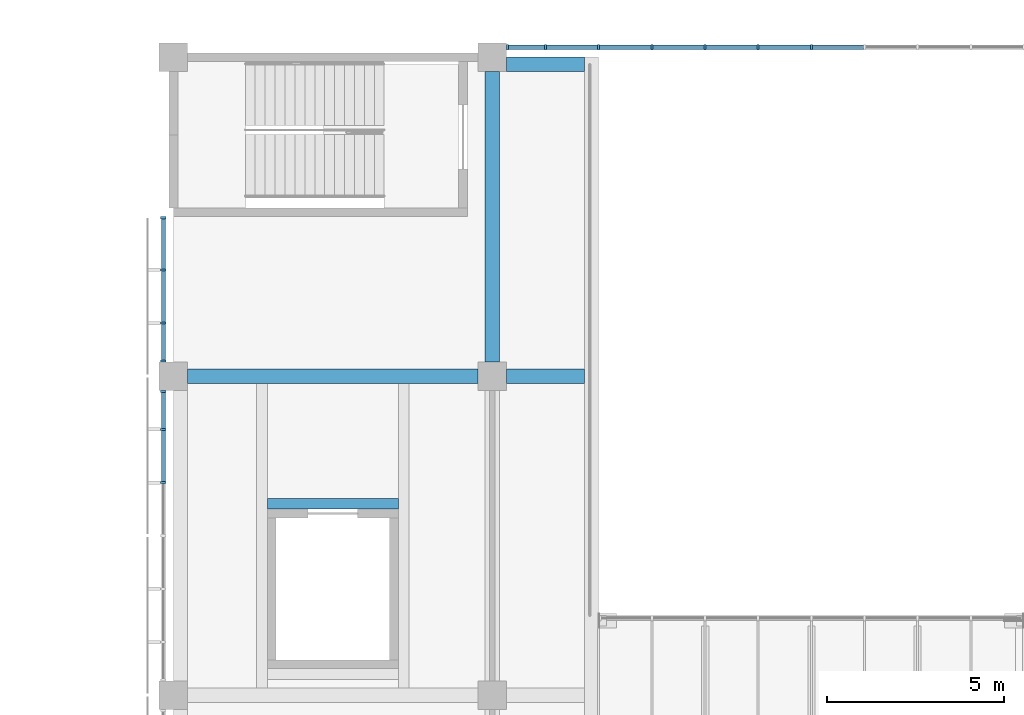
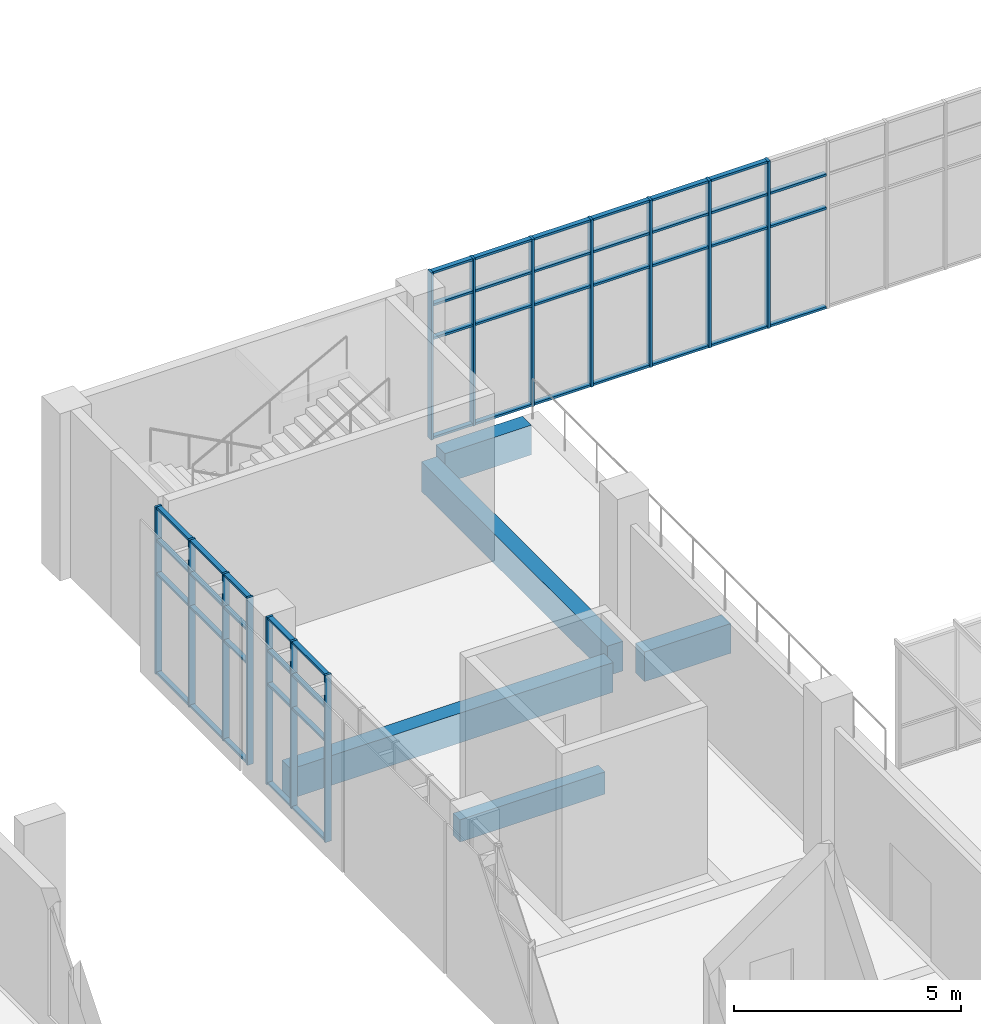
# One storey, part 27 of 88: 61 members, 5 beams, 3 elements without a shape of their own.
"""IFC4 building model written with IfcOpenShell, lengths in metres."""

from ifc_helpers import new_model, si_unit, direction, frame, origin, origin_2d, place, context, subcontext, project, spatial, rectangle, extrude, material, layer, layer_set, material_profile, profile_set, type_object, element, aggregate, save


model = new_model("IFC4")

# Units and contexts
model_context = context("Model", 3, precision=1e-05, world=origin(), true_north=direction((0.0, 1.0)))
body_context = subcontext(model_context, "Body", "Model", "MODEL_VIEW")
ifc_project = project(units=[si_unit("LENGTHUNIT", "METRE"), si_unit("AREAUNIT", "SQUARE_METRE"), si_unit("VOLUMEUNIT", "CUBIC_METRE"), si_unit("PLANEANGLEUNIT", "RADIAN"), si_unit("MASSUNIT", "GRAM", prefix="KILO")], contexts=[model_context])

# Site, building, storey
site_placement = place(None, origin())
site = spatial("IfcSite", under=ifc_project, at=site_placement, CompositionType="ELEMENT")
building_placement = place(site_placement, origin())
building = spatial("IfcBuilding", under=site, at=building_placement, Name="Guidao Yard Department Store", CompositionType="ELEMENT")
storey_placement = place(building_placement, frame((0.0, 0.0, 6.0)))
storey = spatial("IfcBuildingStorey", under=building, at=storey_placement, Name="L01", CompositionType="ELEMENT", Elevation=6.0)

# Beams
ifc_material_1 = material(Name="Concrete C40", Category="concrete")
ifc_material_profile_1 = material_profile(ifc_material_1, rectangle(XDim=0.39990234375, YDim=0.800048828125, at=origin_2d()), Name="Edge beam 400 x 800 C40")
ifc_profile_set_1 = profile_set([ifc_material_profile_1], Name="Concrete C40")
beam_type_1 = type_object("IfcBeamType", Name="Edge beam 400 x 800 C40", PredefinedType="BEAM", material=ifc_profile_set_1)
beam_1_placement = place(storey_placement, frame((81.0, 99.39990234375, -0.39990234375), z_axis=(0.0, 1.0, 0.0), x_axis=(-1.0, 0.0, 0.0)))
element("IfcBeam", 1, at=beam_1_placement, inside=storey, type_object=beam_type_1, Name="Beam EB38", PredefinedType="BEAM", context=body_context, shape_type="SweptSolid", body=[
    extrude(rectangle(XDim=0.39990234375, YDim=0.800048828125, at=origin_2d()), origin(), (0.0, 0.0, 1.0), 8.2001953125),
])
for number, where, z_axis, x_axis, name in (
    (2, (81.39990234375, 99.0, -0.39990234375), (1.0, 0.0, 0.0), (0.0, 1.0, 0.0), "Beam EB43"),
    (3, (81.39990234375, 107.800048828125, -0.39990234375), (1.0, 0.0, 0.0), (0.0, 1.0, 0.0), "Beam EB44"),
):
    element("IfcBeam", number, at=place(storey_placement, frame(where, z_axis=z_axis, x_axis=x_axis)), inside=storey, type_object=beam_type_1, Name=name, PredefinedType="BEAM", context=body_context, shape_type="SweptSolid", body=[
        extrude(rectangle(XDim=0.39990234375, YDim=0.800048828125, at=origin_2d()), origin(), (0.0, 0.0, 1.0), 2.2001953125),
    ])
beam_2_placement = place(storey_placement, frame((72.39990234375, 99.0, -0.39990234375), z_axis=(1.0, 0.0, 0.0), x_axis=(0.0, 1.0, 0.0)))
element("IfcBeam", 4, at=beam_2_placement, inside=storey, type_object=beam_type_1, Name="Beam EB99", PredefinedType="BEAM", context=body_context, shape_type="SweptSolid", body=[
    extrude(rectangle(XDim=0.39990234375, YDim=0.800048828125, at=origin_2d()), origin(), (0.0, 0.0, 1.0), 8.2001953125),
])

# Curtain wall, members
ifc_material_2 = material(Name="Aluminium and glass", Category="aluminium")
ifc_layer = layer(ifc_material_2, 0.159912109375)
ifc_layer_set = layer_set([ifc_layer], Name="Shopfront curtain wall CW1 1500 module")
curtain_wall_type = type_object("IfcCurtainWallType", Name="Shopfront curtain wall CW1 1500 module", PredefinedType="NOTDEFINED", material=ifc_layer_set)
curtain_wall_1_placement = place(storey_placement, origin())
curtain_wall_1 = element("IfcCurtainWall", 5, at=curtain_wall_1_placement, inside=storey, type_object=curtain_wall_type, Name="Arcade shop front", PredefinedType="NOTDEFINED")
ifc_material_3 = material(Name="Aluminium 6063-T5", Category="aluminium")
ifc_material_profile_2 = material_profile(ifc_material_3, rectangle(XDim=0.06005859375, YDim=0.159912109375, at=origin_2d()), Name="Mullion M1 60 x 160 aluminium pressure plate")
ifc_profile_set_2 = profile_set([ifc_material_profile_2], Name="Aluminium 6063-T5")
member_type_1 = type_object("IfcMemberType", Name="Mullion M1 60 x 160 aluminium pressure plate", PredefinedType="MULLION", material=ifc_profile_set_2)
member_1_placement = place(storey_placement, frame((71.719970703125, 96.0, 0.0), z_axis=(0.0, 0.0, 1.0), x_axis=(0.0, 1.0, 0.0)))
member_1 = element("IfcMember", 6, at=member_1_placement, type_object=member_type_1, Name="CW-AS-L01-10 mullion 5", PredefinedType="MULLION", context=body_context, shape_type="SweptSolid", body=[
    extrude(rectangle(XDim=0.06005859375, YDim=0.159912109375, at=origin_2d()), origin(), (0.0, 0.0, 1.0), 4.5),
])
member_2_placement = place(storey_placement, frame((71.719970703125, 97.5, 0.0), z_axis=(0.0, 0.0, 1.0), x_axis=(0.0, 1.0, 0.0)))
member_2 = element("IfcMember", 7, at=member_2_placement, type_object=member_type_1, Name="CW-AS-L01-10 mullion 6", PredefinedType="MULLION", context=body_context, shape_type="SweptSolid", body=[
    extrude(rectangle(XDim=0.06005859375, YDim=0.159912109375, at=origin_2d()), origin(), (0.0, 0.0, 1.0), 4.5),
])
member_3_placement = place(storey_placement, frame((71.719970703125, 98.570068359375, 0.0), z_axis=(0.0, 0.0, 1.0), x_axis=(0.0, 1.0, 0.0)))
member_3 = element("IfcMember", 8, at=member_3_placement, type_object=member_type_1, Name="CW-AS-L01-10 mullion 7", PredefinedType="MULLION", context=body_context, shape_type="SweptSolid", body=[
    extrude(rectangle(XDim=0.06005859375, YDim=0.159912109375, at=origin_2d()), origin(), (0.0, 0.0, 1.0), 4.5),
])

curtain_wall_2_placement = place(storey_placement, origin())
curtain_wall_2 = element("IfcCurtainWall", 9, at=curtain_wall_2_placement, inside=storey, type_object=curtain_wall_type, Name="Arcade shop front", PredefinedType="NOTDEFINED")
member_4_placement = place(storey_placement, frame((71.719970703125, 99.429931640625, 0.0), z_axis=(0.0, 0.0, 1.0), x_axis=(0.0, 1.0, 0.0)))
member_4 = element("IfcMember", 10, at=member_4_placement, type_object=member_type_1, Name="CW-AS-L01-11 mullion 1", PredefinedType="MULLION", context=body_context, shape_type="SweptSolid", body=[
    extrude(rectangle(XDim=0.06005859375, YDim=0.159912109375, at=origin_2d()), origin(), (0.0, 0.0, 1.0), 4.5),
])
member_5_placement = place(storey_placement, frame((71.719970703125, 100.5, 0.0), z_axis=(0.0, 0.0, 1.0), x_axis=(0.0, 1.0, 0.0)))
member_5 = element("IfcMember", 11, at=member_5_placement, type_object=member_type_1, Name="CW-AS-L01-11 mullion 2", PredefinedType="MULLION", context=body_context, shape_type="SweptSolid", body=[
    extrude(rectangle(XDim=0.06005859375, YDim=0.159912109375, at=origin_2d()), origin(), (0.0, 0.0, 1.0), 4.5),
])
member_6_placement = place(storey_placement, frame((71.719970703125, 102.0, 0.0), z_axis=(0.0, 0.0, 1.0), x_axis=(0.0, 1.0, 0.0)))
member_6 = element("IfcMember", 12, at=member_6_placement, type_object=member_type_1, Name="CW-AS-L01-11 mullion 3", PredefinedType="MULLION", context=body_context, shape_type="SweptSolid", body=[
    extrude(rectangle(XDim=0.06005859375, YDim=0.159912109375, at=origin_2d()), origin(), (0.0, 0.0, 1.0), 4.5),
])
member_7_placement = place(storey_placement, frame((71.719970703125, 103.469970703125, 0.0), z_axis=(0.0, 0.0, 1.0), x_axis=(0.0, 1.0, 0.0)))
member_7 = element("IfcMember", 13, at=member_7_placement, type_object=member_type_1, Name="CW-AS-L01-11 mullion 4", PredefinedType="MULLION", context=body_context, shape_type="SweptSolid", body=[
    extrude(rectangle(XDim=0.06005859375, YDim=0.159912109375, at=origin_2d()), origin(), (0.0, 0.0, 1.0), 4.5),
])

curtain_wall_3_placement = place(storey_placement, origin())
curtain_wall_3 = element("IfcCurtainWall", 14, at=curtain_wall_3_placement, inside=storey, type_object=curtain_wall_type, Name="Arcade gable glazing", PredefinedType="NOTDEFINED")
member_8_placement = place(storey_placement, frame((81.429931640625, 108.280029296875, 0.0), z_axis=(0.0, 0.0, 1.0), x_axis=(1.0, 0.0, 0.0)))
member_8 = element("IfcMember", 15, at=member_8_placement, type_object=member_type_1, Name="CW-AG-L01-01 mullion 1", PredefinedType="MULLION", context=body_context, shape_type="SweptSolid", body=[
    extrude(rectangle(XDim=0.06005859375, YDim=0.159912109375, at=origin_2d()), origin(), (0.0, 0.0, 1.0), 4.5),
])
member_9_placement = place(storey_placement, frame((82.5, 108.280029296875, 0.0), z_axis=(0.0, 0.0, 1.0), x_axis=(1.0, 0.0, 0.0)))
member_9 = element("IfcMember", 16, at=member_9_placement, type_object=member_type_1, Name="CW-AG-L01-01 mullion 2", PredefinedType="MULLION", context=body_context, shape_type="SweptSolid", body=[
    extrude(rectangle(XDim=0.06005859375, YDim=0.159912109375, at=origin_2d()), origin(), (0.0, 0.0, 1.0), 4.5),
])
member_10_placement = place(storey_placement, frame((84.0, 108.280029296875, 0.0), z_axis=(0.0, 0.0, 1.0), x_axis=(1.0, 0.0, 0.0)))
member_10 = element("IfcMember", 17, at=member_10_placement, type_object=member_type_1, Name="CW-AG-L01-01 mullion 3", PredefinedType="MULLION", context=body_context, shape_type="SweptSolid", body=[
    extrude(rectangle(XDim=0.06005859375, YDim=0.159912109375, at=origin_2d()), origin(), (0.0, 0.0, 1.0), 4.5),
])
member_11_placement = place(storey_placement, frame((85.5, 108.280029296875, 0.0), z_axis=(0.0, 0.0, 1.0), x_axis=(1.0, 0.0, 0.0)))
member_11 = element("IfcMember", 18, at=member_11_placement, type_object=member_type_1, Name="CW-AG-L01-01 mullion 4", PredefinedType="MULLION", context=body_context, shape_type="SweptSolid", body=[
    extrude(rectangle(XDim=0.06005859375, YDim=0.159912109375, at=origin_2d()), origin(), (0.0, 0.0, 1.0), 4.5),
])
member_12_placement = place(storey_placement, frame((87.0, 108.280029296875, 0.0), z_axis=(0.0, 0.0, 1.0), x_axis=(1.0, 0.0, 0.0)))
member_12 = element("IfcMember", 19, at=member_12_placement, type_object=member_type_1, Name="CW-AG-L01-01 mullion 5", PredefinedType="MULLION", context=body_context, shape_type="SweptSolid", body=[
    extrude(rectangle(XDim=0.06005859375, YDim=0.159912109375, at=origin_2d()), origin(), (0.0, 0.0, 1.0), 4.5),
])
member_13_placement = place(storey_placement, frame((88.5, 108.280029296875, 0.0), z_axis=(0.0, 0.0, 1.0), x_axis=(1.0, 0.0, 0.0)))
member_13 = element("IfcMember", 20, at=member_13_placement, type_object=member_type_1, Name="CW-AG-L01-01 mullion 6", PredefinedType="MULLION", context=body_context, shape_type="SweptSolid", body=[
    extrude(rectangle(XDim=0.06005859375, YDim=0.159912109375, at=origin_2d()), origin(), (0.0, 0.0, 1.0), 4.5),
])
member_14_placement = place(storey_placement, frame((90.0, 108.280029296875, 0.0), z_axis=(0.0, 0.0, 1.0), x_axis=(1.0, 0.0, 0.0)))
member_14 = element("IfcMember", 21, at=member_14_placement, type_object=member_type_1, Name="CW-AG-L01-01 mullion 7", PredefinedType="MULLION", context=body_context, shape_type="SweptSolid", body=[
    extrude(rectangle(XDim=0.06005859375, YDim=0.159912109375, at=origin_2d()), origin(), (0.0, 0.0, 1.0), 4.5),
])

# Beam
ifc_material_4 = material(Name="Concrete C40", Category="concrete")
ifc_material_profile_3 = material_profile(ifc_material_4, rectangle(XDim=0.300048828125, YDim=0.60009765625, at=origin_2d()), Name="Opening beam 300 x 600 C40")
ifc_profile_set_3 = profile_set([ifc_material_profile_3], Name="Concrete C40")
beam_type_2 = type_object("IfcBeamType", Name="Opening beam 300 x 600 C40", PredefinedType="BEAM", material=ifc_profile_set_3)
beam_3_placement = place(storey_placement, frame((74.64990234375, 95.39990234375, -0.300048828125), z_axis=(1.0, 0.0, 0.0), x_axis=(0.0, 1.0, 0.0)))
element("IfcBeam", 22, at=beam_3_placement, inside=storey, type_object=beam_type_2, Name="Beam OB24", PredefinedType="BEAM", context=body_context, shape_type="SweptSolid", body=[
    extrude(rectangle(XDim=0.300048828125, YDim=0.60009765625, at=origin_2d()), origin(), (0.0, 0.0, 1.0), 3.7001953125),
])

# Member
ifc_material_5 = material(Name="Aluminium 6063-T5", Category="aluminium")
ifc_material_profile_4 = material_profile(ifc_material_5, rectangle(XDim=0.1201171875, YDim=0.06005859375, at=origin_2d()), Name="Transom T1 60 x 120 aluminium pressure plate")
ifc_profile_set_4 = profile_set([ifc_material_profile_4], Name="Aluminium 6063-T5")
member_type_2 = type_object("IfcMemberType", Name="Transom T1 60 x 120 aluminium pressure plate", PredefinedType="USERDEFINED", material=ifc_profile_set_4)
member_15_placement = place(storey_placement, frame((71.719970703125, 96.030029296875, 0.030029296875), z_axis=(0.0, 1.0, 0.0), x_axis=(-1.0, 0.0, 0.0)))
member_15 = element("IfcMember", 23, at=member_15_placement, type_object=member_type_2, Name="CW-AS-L01-10 transom 5.1", ObjectType="TRANSOM", PredefinedType="USERDEFINED", context=body_context, shape_type="SweptSolid", body=[
    extrude(rectangle(XDim=0.1201171875, YDim=0.06005859375, at=origin_2d()), origin(), (0.0, 0.0, 1.0), 1.43994140625),
])

member_16_placement = place(storey_placement, frame((71.719970703125, 96.030029296875, 2.699951171875), z_axis=(0.0, 1.0, 0.0), x_axis=(-1.0, 0.0, 0.0)))
member_16 = element("IfcMember", 24, at=member_16_placement, type_object=member_type_2, Name="CW-AS-L01-10 transom 5.2", ObjectType="TRANSOM", PredefinedType="USERDEFINED", context=body_context, shape_type="SweptSolid", body=[
    extrude(rectangle(XDim=0.1201171875, YDim=0.06005859375, at=origin_2d()), origin(), (0.0, 0.0, 1.0), 1.43994140625),
])

member_17_placement = place(storey_placement, frame((71.719970703125, 96.030029296875, 3.60009765625), z_axis=(0.0, 1.0, 0.0), x_axis=(-1.0, 0.0, 0.0)))
member_17 = element("IfcMember", 25, at=member_17_placement, type_object=member_type_2, Name="CW-AS-L01-10 transom 5.3", ObjectType="TRANSOM", PredefinedType="USERDEFINED", context=body_context, shape_type="SweptSolid", body=[
    extrude(rectangle(XDim=0.1201171875, YDim=0.06005859375, at=origin_2d()), origin(), (0.0, 0.0, 1.0), 1.43994140625),
])

member_18_placement = place(storey_placement, frame((71.719970703125, 96.030029296875, 4.469970703125), z_axis=(0.0, 1.0, 0.0), x_axis=(-1.0, 0.0, 0.0)))
member_18 = element("IfcMember", 26, at=member_18_placement, type_object=member_type_2, Name="CW-AS-L01-10 transom 5.4", ObjectType="TRANSOM", PredefinedType="USERDEFINED", context=body_context, shape_type="SweptSolid", body=[
    extrude(rectangle(XDim=0.1201171875, YDim=0.06005859375, at=origin_2d()), origin(), (0.0, 0.0, 1.0), 1.43994140625),
])

member_19_placement = place(storey_placement, frame((71.719970703125, 97.530029296875, 0.030029296875), z_axis=(0.0, 1.0, 0.0), x_axis=(-1.0, 0.0, 0.0)))
member_19 = element("IfcMember", 27, at=member_19_placement, type_object=member_type_2, Name="CW-AS-L01-10 transom 6.1", ObjectType="TRANSOM", PredefinedType="USERDEFINED", context=body_context, shape_type="SweptSolid", body=[
    extrude(rectangle(XDim=0.1201171875, YDim=0.06005859375, at=origin_2d()), origin(), (0.0, 0.0, 1.0), 1.010009765625),
])

member_20_placement = place(storey_placement, frame((71.719970703125, 97.530029296875, 2.699951171875), z_axis=(0.0, 1.0, 0.0), x_axis=(-1.0, 0.0, 0.0)))
member_20 = element("IfcMember", 28, at=member_20_placement, type_object=member_type_2, Name="CW-AS-L01-10 transom 6.2", ObjectType="TRANSOM", PredefinedType="USERDEFINED", context=body_context, shape_type="SweptSolid", body=[
    extrude(rectangle(XDim=0.1201171875, YDim=0.06005859375, at=origin_2d()), origin(), (0.0, 0.0, 1.0), 1.010009765625),
])

member_21_placement = place(storey_placement, frame((71.719970703125, 97.530029296875, 3.60009765625), z_axis=(0.0, 1.0, 0.0), x_axis=(-1.0, 0.0, 0.0)))
member_21 = element("IfcMember", 29, at=member_21_placement, type_object=member_type_2, Name="CW-AS-L01-10 transom 6.3", ObjectType="TRANSOM", PredefinedType="USERDEFINED", context=body_context, shape_type="SweptSolid", body=[
    extrude(rectangle(XDim=0.1201171875, YDim=0.06005859375, at=origin_2d()), origin(), (0.0, 0.0, 1.0), 1.010009765625),
])

member_22_placement = place(storey_placement, frame((71.719970703125, 97.530029296875, 4.469970703125), z_axis=(0.0, 1.0, 0.0), x_axis=(-1.0, 0.0, 0.0)))
member_22 = element("IfcMember", 30, at=member_22_placement, type_object=member_type_2, Name="CW-AS-L01-10 transom 6.4", ObjectType="TRANSOM", PredefinedType="USERDEFINED", context=body_context, shape_type="SweptSolid", body=[
    extrude(rectangle(XDim=0.1201171875, YDim=0.06005859375, at=origin_2d()), origin(), (0.0, 0.0, 1.0), 1.010009765625),
])

aggregate(curtain_wall_1, [member_1, member_2, member_3, member_15, member_16, member_17, member_18, member_19, member_20, member_21, member_22])

member_23_placement = place(storey_placement, frame((71.719970703125, 99.4599609375, 0.030029296875), z_axis=(0.0, 1.0, 0.0), x_axis=(-1.0, 0.0, 0.0)))
member_23 = element("IfcMember", 31, at=member_23_placement, type_object=member_type_2, Name="CW-AS-L01-11 transom 1.1", ObjectType="TRANSOM", PredefinedType="USERDEFINED", context=body_context, shape_type="SweptSolid", body=[
    extrude(rectangle(XDim=0.1201171875, YDim=0.06005859375, at=origin_2d()), origin(), (0.0, 0.0, 1.0), 1.010009765625),
])

member_24_placement = place(storey_placement, frame((71.719970703125, 99.4599609375, 2.699951171875), z_axis=(0.0, 1.0, 0.0), x_axis=(-1.0, 0.0, 0.0)))
member_24 = element("IfcMember", 32, at=member_24_placement, type_object=member_type_2, Name="CW-AS-L01-11 transom 1.2", ObjectType="TRANSOM", PredefinedType="USERDEFINED", context=body_context, shape_type="SweptSolid", body=[
    extrude(rectangle(XDim=0.1201171875, YDim=0.06005859375, at=origin_2d()), origin(), (0.0, 0.0, 1.0), 1.010009765625),
])

member_25_placement = place(storey_placement, frame((71.719970703125, 99.4599609375, 3.60009765625), z_axis=(0.0, 1.0, 0.0), x_axis=(-1.0, 0.0, 0.0)))
member_25 = element("IfcMember", 33, at=member_25_placement, type_object=member_type_2, Name="CW-AS-L01-11 transom 1.3", ObjectType="TRANSOM", PredefinedType="USERDEFINED", context=body_context, shape_type="SweptSolid", body=[
    extrude(rectangle(XDim=0.1201171875, YDim=0.06005859375, at=origin_2d()), origin(), (0.0, 0.0, 1.0), 1.010009765625),
])

member_26_placement = place(storey_placement, frame((71.719970703125, 99.4599609375, 4.469970703125), z_axis=(0.0, 1.0, 0.0), x_axis=(-1.0, 0.0, 0.0)))
member_26 = element("IfcMember", 34, at=member_26_placement, type_object=member_type_2, Name="CW-AS-L01-11 transom 1.4", ObjectType="TRANSOM", PredefinedType="USERDEFINED", context=body_context, shape_type="SweptSolid", body=[
    extrude(rectangle(XDim=0.1201171875, YDim=0.06005859375, at=origin_2d()), origin(), (0.0, 0.0, 1.0), 1.010009765625),
])

member_27_placement = place(storey_placement, frame((71.719970703125, 100.530029296875, 0.030029296875), z_axis=(0.0, 1.0, 0.0), x_axis=(-1.0, 0.0, 0.0)))
member_27 = element("IfcMember", 35, at=member_27_placement, type_object=member_type_2, Name="CW-AS-L01-11 transom 2.1", ObjectType="TRANSOM", PredefinedType="USERDEFINED", context=body_context, shape_type="SweptSolid", body=[
    extrude(rectangle(XDim=0.1201171875, YDim=0.06005859375, at=origin_2d()), origin(), (0.0, 0.0, 1.0), 1.43994140625),
])

member_28_placement = place(storey_placement, frame((71.719970703125, 100.530029296875, 2.699951171875), z_axis=(0.0, 1.0, 0.0), x_axis=(-1.0, 0.0, 0.0)))
member_28 = element("IfcMember", 36, at=member_28_placement, type_object=member_type_2, Name="CW-AS-L01-11 transom 2.2", ObjectType="TRANSOM", PredefinedType="USERDEFINED", context=body_context, shape_type="SweptSolid", body=[
    extrude(rectangle(XDim=0.1201171875, YDim=0.06005859375, at=origin_2d()), origin(), (0.0, 0.0, 1.0), 1.43994140625),
])

member_29_placement = place(storey_placement, frame((71.719970703125, 100.530029296875, 3.60009765625), z_axis=(0.0, 1.0, 0.0), x_axis=(-1.0, 0.0, 0.0)))
member_29 = element("IfcMember", 37, at=member_29_placement, type_object=member_type_2, Name="CW-AS-L01-11 transom 2.3", ObjectType="TRANSOM", PredefinedType="USERDEFINED", context=body_context, shape_type="SweptSolid", body=[
    extrude(rectangle(XDim=0.1201171875, YDim=0.06005859375, at=origin_2d()), origin(), (0.0, 0.0, 1.0), 1.43994140625),
])

member_30_placement = place(storey_placement, frame((71.719970703125, 100.530029296875, 4.469970703125), z_axis=(0.0, 1.0, 0.0), x_axis=(-1.0, 0.0, 0.0)))
member_30 = element("IfcMember", 38, at=member_30_placement, type_object=member_type_2, Name="CW-AS-L01-11 transom 2.4", ObjectType="TRANSOM", PredefinedType="USERDEFINED", context=body_context, shape_type="SweptSolid", body=[
    extrude(rectangle(XDim=0.1201171875, YDim=0.06005859375, at=origin_2d()), origin(), (0.0, 0.0, 1.0), 1.43994140625),
])

member_31_placement = place(storey_placement, frame((71.719970703125, 102.030029296875, 0.030029296875), z_axis=(0.0, 1.0, 0.0), x_axis=(-1.0, 0.0, 0.0)))
member_31 = element("IfcMember", 39, at=member_31_placement, type_object=member_type_2, Name="CW-AS-L01-11 transom 3.1", ObjectType="TRANSOM", PredefinedType="USERDEFINED", context=body_context, shape_type="SweptSolid", body=[
    extrude(rectangle(XDim=0.1201171875, YDim=0.06005859375, at=origin_2d()), origin(), (0.0, 0.0, 1.0), 1.409912109375),
])

member_32_placement = place(storey_placement, frame((71.719970703125, 102.030029296875, 2.699951171875), z_axis=(0.0, 1.0, 0.0), x_axis=(-1.0, 0.0, 0.0)))
member_32 = element("IfcMember", 40, at=member_32_placement, type_object=member_type_2, Name="CW-AS-L01-11 transom 3.2", ObjectType="TRANSOM", PredefinedType="USERDEFINED", context=body_context, shape_type="SweptSolid", body=[
    extrude(rectangle(XDim=0.1201171875, YDim=0.06005859375, at=origin_2d()), origin(), (0.0, 0.0, 1.0), 1.409912109375),
])

member_33_placement = place(storey_placement, frame((71.719970703125, 102.030029296875, 3.60009765625), z_axis=(0.0, 1.0, 0.0), x_axis=(-1.0, 0.0, 0.0)))
member_33 = element("IfcMember", 41, at=member_33_placement, type_object=member_type_2, Name="CW-AS-L01-11 transom 3.3", ObjectType="TRANSOM", PredefinedType="USERDEFINED", context=body_context, shape_type="SweptSolid", body=[
    extrude(rectangle(XDim=0.1201171875, YDim=0.06005859375, at=origin_2d()), origin(), (0.0, 0.0, 1.0), 1.409912109375),
])

member_34_placement = place(storey_placement, frame((71.719970703125, 102.030029296875, 4.469970703125), z_axis=(0.0, 1.0, 0.0), x_axis=(-1.0, 0.0, 0.0)))
member_34 = element("IfcMember", 42, at=member_34_placement, type_object=member_type_2, Name="CW-AS-L01-11 transom 3.4", ObjectType="TRANSOM", PredefinedType="USERDEFINED", context=body_context, shape_type="SweptSolid", body=[
    extrude(rectangle(XDim=0.1201171875, YDim=0.06005859375, at=origin_2d()), origin(), (0.0, 0.0, 1.0), 1.409912109375),
])

aggregate(curtain_wall_2, [member_4, member_5, member_6, member_7, member_23, member_24, member_25, member_26, member_27, member_28, member_29, member_30, member_31, member_32, member_33, member_34])

member_35_placement = place(storey_placement, frame((81.4599609375, 108.280029296875, 0.030029296875), z_axis=(1.0, 0.0, 0.0), x_axis=(0.0, 1.0, 0.0)))
member_35 = element("IfcMember", 43, at=member_35_placement, type_object=member_type_2, Name="CW-AG-L01-01 transom 1.1", ObjectType="TRANSOM", PredefinedType="USERDEFINED", context=body_context, shape_type="SweptSolid", body=[
    extrude(rectangle(XDim=0.1201171875, YDim=0.06005859375, at=origin_2d()), origin(), (0.0, 0.0, 1.0), 1.010009765625),
])

member_36_placement = place(storey_placement, frame((81.4599609375, 108.280029296875, 2.699951171875), z_axis=(1.0, 0.0, 0.0), x_axis=(0.0, 1.0, 0.0)))
member_36 = element("IfcMember", 44, at=member_36_placement, type_object=member_type_2, Name="CW-AG-L01-01 transom 1.2", ObjectType="TRANSOM", PredefinedType="USERDEFINED", context=body_context, shape_type="SweptSolid", body=[
    extrude(rectangle(XDim=0.1201171875, YDim=0.06005859375, at=origin_2d()), origin(), (0.0, 0.0, 1.0), 1.010009765625),
])

member_37_placement = place(storey_placement, frame((81.4599609375, 108.280029296875, 3.60009765625), z_axis=(1.0, 0.0, 0.0), x_axis=(0.0, 1.0, 0.0)))
member_37 = element("IfcMember", 45, at=member_37_placement, type_object=member_type_2, Name="CW-AG-L01-01 transom 1.3", ObjectType="TRANSOM", PredefinedType="USERDEFINED", context=body_context, shape_type="SweptSolid", body=[
    extrude(rectangle(XDim=0.1201171875, YDim=0.06005859375, at=origin_2d()), origin(), (0.0, 0.0, 1.0), 1.010009765625),
])

member_38_placement = place(storey_placement, frame((81.4599609375, 108.280029296875, 4.469970703125), z_axis=(1.0, 0.0, 0.0), x_axis=(0.0, 1.0, 0.0)))
member_38 = element("IfcMember", 46, at=member_38_placement, type_object=member_type_2, Name="CW-AG-L01-01 transom 1.4", ObjectType="TRANSOM", PredefinedType="USERDEFINED", context=body_context, shape_type="SweptSolid", body=[
    extrude(rectangle(XDim=0.1201171875, YDim=0.06005859375, at=origin_2d()), origin(), (0.0, 0.0, 1.0), 1.010009765625),
])

member_39_placement = place(storey_placement, frame((82.530029296875, 108.280029296875, 0.030029296875), z_axis=(1.0, 0.0, 0.0), x_axis=(0.0, 1.0, 0.0)))
member_39 = element("IfcMember", 47, at=member_39_placement, type_object=member_type_2, Name="CW-AG-L01-01 transom 2.1", ObjectType="TRANSOM", PredefinedType="USERDEFINED", context=body_context, shape_type="SweptSolid", body=[
    extrude(rectangle(XDim=0.1201171875, YDim=0.06005859375, at=origin_2d()), origin(), (0.0, 0.0, 1.0), 1.43994140625),
])

member_40_placement = place(storey_placement, frame((82.530029296875, 108.280029296875, 2.699951171875), z_axis=(1.0, 0.0, 0.0), x_axis=(0.0, 1.0, 0.0)))
member_40 = element("IfcMember", 48, at=member_40_placement, type_object=member_type_2, Name="CW-AG-L01-01 transom 2.2", ObjectType="TRANSOM", PredefinedType="USERDEFINED", context=body_context, shape_type="SweptSolid", body=[
    extrude(rectangle(XDim=0.1201171875, YDim=0.06005859375, at=origin_2d()), origin(), (0.0, 0.0, 1.0), 1.43994140625),
])

member_41_placement = place(storey_placement, frame((82.530029296875, 108.280029296875, 3.60009765625), z_axis=(1.0, 0.0, 0.0), x_axis=(0.0, 1.0, 0.0)))
member_41 = element("IfcMember", 49, at=member_41_placement, type_object=member_type_2, Name="CW-AG-L01-01 transom 2.3", ObjectType="TRANSOM", PredefinedType="USERDEFINED", context=body_context, shape_type="SweptSolid", body=[
    extrude(rectangle(XDim=0.1201171875, YDim=0.06005859375, at=origin_2d()), origin(), (0.0, 0.0, 1.0), 1.43994140625),
])

member_42_placement = place(storey_placement, frame((82.530029296875, 108.280029296875, 4.469970703125), z_axis=(1.0, 0.0, 0.0), x_axis=(0.0, 1.0, 0.0)))
member_42 = element("IfcMember", 50, at=member_42_placement, type_object=member_type_2, Name="CW-AG-L01-01 transom 2.4", ObjectType="TRANSOM", PredefinedType="USERDEFINED", context=body_context, shape_type="SweptSolid", body=[
    extrude(rectangle(XDim=0.1201171875, YDim=0.06005859375, at=origin_2d()), origin(), (0.0, 0.0, 1.0), 1.43994140625),
])

member_43_placement = place(storey_placement, frame((84.030029296875, 108.280029296875, 0.030029296875), z_axis=(1.0, 0.0, 0.0), x_axis=(0.0, 1.0, 0.0)))
member_43 = element("IfcMember", 51, at=member_43_placement, type_object=member_type_2, Name="CW-AG-L01-01 transom 3.1", ObjectType="TRANSOM", PredefinedType="USERDEFINED", context=body_context, shape_type="SweptSolid", body=[
    extrude(rectangle(XDim=0.1201171875, YDim=0.06005859375, at=origin_2d()), origin(), (0.0, 0.0, 1.0), 1.43994140625),
])

member_44_placement = place(storey_placement, frame((84.030029296875, 108.280029296875, 2.699951171875), z_axis=(1.0, 0.0, 0.0), x_axis=(0.0, 1.0, 0.0)))
member_44 = element("IfcMember", 52, at=member_44_placement, type_object=member_type_2, Name="CW-AG-L01-01 transom 3.2", ObjectType="TRANSOM", PredefinedType="USERDEFINED", context=body_context, shape_type="SweptSolid", body=[
    extrude(rectangle(XDim=0.1201171875, YDim=0.06005859375, at=origin_2d()), origin(), (0.0, 0.0, 1.0), 1.43994140625),
])

member_45_placement = place(storey_placement, frame((84.030029296875, 108.280029296875, 3.60009765625), z_axis=(1.0, 0.0, 0.0), x_axis=(0.0, 1.0, 0.0)))
member_45 = element("IfcMember", 53, at=member_45_placement, type_object=member_type_2, Name="CW-AG-L01-01 transom 3.3", ObjectType="TRANSOM", PredefinedType="USERDEFINED", context=body_context, shape_type="SweptSolid", body=[
    extrude(rectangle(XDim=0.1201171875, YDim=0.06005859375, at=origin_2d()), origin(), (0.0, 0.0, 1.0), 1.43994140625),
])

member_46_placement = place(storey_placement, frame((84.030029296875, 108.280029296875, 4.469970703125), z_axis=(1.0, 0.0, 0.0), x_axis=(0.0, 1.0, 0.0)))
member_46 = element("IfcMember", 54, at=member_46_placement, type_object=member_type_2, Name="CW-AG-L01-01 transom 3.4", ObjectType="TRANSOM", PredefinedType="USERDEFINED", context=body_context, shape_type="SweptSolid", body=[
    extrude(rectangle(XDim=0.1201171875, YDim=0.06005859375, at=origin_2d()), origin(), (0.0, 0.0, 1.0), 1.43994140625),
])

member_47_placement = place(storey_placement, frame((85.530029296875, 108.280029296875, 0.030029296875), z_axis=(1.0, 0.0, 0.0), x_axis=(0.0, 1.0, 0.0)))
member_47 = element("IfcMember", 55, at=member_47_placement, type_object=member_type_2, Name="CW-AG-L01-01 transom 4.1", ObjectType="TRANSOM", PredefinedType="USERDEFINED", context=body_context, shape_type="SweptSolid", body=[
    extrude(rectangle(XDim=0.1201171875, YDim=0.06005859375, at=origin_2d()), origin(), (0.0, 0.0, 1.0), 1.43994140625),
])

member_48_placement = place(storey_placement, frame((85.530029296875, 108.280029296875, 2.699951171875), z_axis=(1.0, 0.0, 0.0), x_axis=(0.0, 1.0, 0.0)))
member_48 = element("IfcMember", 56, at=member_48_placement, type_object=member_type_2, Name="CW-AG-L01-01 transom 4.2", ObjectType="TRANSOM", PredefinedType="USERDEFINED", context=body_context, shape_type="SweptSolid", body=[
    extrude(rectangle(XDim=0.1201171875, YDim=0.06005859375, at=origin_2d()), origin(), (0.0, 0.0, 1.0), 1.43994140625),
])

member_49_placement = place(storey_placement, frame((85.530029296875, 108.280029296875, 3.60009765625), z_axis=(1.0, 0.0, 0.0), x_axis=(0.0, 1.0, 0.0)))
member_49 = element("IfcMember", 57, at=member_49_placement, type_object=member_type_2, Name="CW-AG-L01-01 transom 4.3", ObjectType="TRANSOM", PredefinedType="USERDEFINED", context=body_context, shape_type="SweptSolid", body=[
    extrude(rectangle(XDim=0.1201171875, YDim=0.06005859375, at=origin_2d()), origin(), (0.0, 0.0, 1.0), 1.43994140625),
])

member_50_placement = place(storey_placement, frame((85.530029296875, 108.280029296875, 4.469970703125), z_axis=(1.0, 0.0, 0.0), x_axis=(0.0, 1.0, 0.0)))
member_50 = element("IfcMember", 58, at=member_50_placement, type_object=member_type_2, Name="CW-AG-L01-01 transom 4.4", ObjectType="TRANSOM", PredefinedType="USERDEFINED", context=body_context, shape_type="SweptSolid", body=[
    extrude(rectangle(XDim=0.1201171875, YDim=0.06005859375, at=origin_2d()), origin(), (0.0, 0.0, 1.0), 1.43994140625),
])

member_51_placement = place(storey_placement, frame((87.030029296875, 108.280029296875, 0.030029296875), z_axis=(1.0, 0.0, 0.0), x_axis=(0.0, 1.0, 0.0)))
member_51 = element("IfcMember", 59, at=member_51_placement, type_object=member_type_2, Name="CW-AG-L01-01 transom 5.1", ObjectType="TRANSOM", PredefinedType="USERDEFINED", context=body_context, shape_type="SweptSolid", body=[
    extrude(rectangle(XDim=0.1201171875, YDim=0.06005859375, at=origin_2d()), origin(), (0.0, 0.0, 1.0), 1.43994140625),
])

member_52_placement = place(storey_placement, frame((87.030029296875, 108.280029296875, 2.699951171875), z_axis=(1.0, 0.0, 0.0), x_axis=(0.0, 1.0, 0.0)))
member_52 = element("IfcMember", 60, at=member_52_placement, type_object=member_type_2, Name="CW-AG-L01-01 transom 5.2", ObjectType="TRANSOM", PredefinedType="USERDEFINED", context=body_context, shape_type="SweptSolid", body=[
    extrude(rectangle(XDim=0.1201171875, YDim=0.06005859375, at=origin_2d()), origin(), (0.0, 0.0, 1.0), 1.43994140625),
])

member_53_placement = place(storey_placement, frame((87.030029296875, 108.280029296875, 3.60009765625), z_axis=(1.0, 0.0, 0.0), x_axis=(0.0, 1.0, 0.0)))
member_53 = element("IfcMember", 61, at=member_53_placement, type_object=member_type_2, Name="CW-AG-L01-01 transom 5.3", ObjectType="TRANSOM", PredefinedType="USERDEFINED", context=body_context, shape_type="SweptSolid", body=[
    extrude(rectangle(XDim=0.1201171875, YDim=0.06005859375, at=origin_2d()), origin(), (0.0, 0.0, 1.0), 1.43994140625),
])

member_54_placement = place(storey_placement, frame((87.030029296875, 108.280029296875, 4.469970703125), z_axis=(1.0, 0.0, 0.0), x_axis=(0.0, 1.0, 0.0)))
member_54 = element("IfcMember", 62, at=member_54_placement, type_object=member_type_2, Name="CW-AG-L01-01 transom 5.4", ObjectType="TRANSOM", PredefinedType="USERDEFINED", context=body_context, shape_type="SweptSolid", body=[
    extrude(rectangle(XDim=0.1201171875, YDim=0.06005859375, at=origin_2d()), origin(), (0.0, 0.0, 1.0), 1.43994140625),
])

member_55_placement = place(storey_placement, frame((88.530029296875, 108.280029296875, 0.030029296875), z_axis=(1.0, 0.0, 0.0), x_axis=(0.0, 1.0, 0.0)))
member_55 = element("IfcMember", 63, at=member_55_placement, type_object=member_type_2, Name="CW-AG-L01-01 transom 6.1", ObjectType="TRANSOM", PredefinedType="USERDEFINED", context=body_context, shape_type="SweptSolid", body=[
    extrude(rectangle(XDim=0.1201171875, YDim=0.06005859375, at=origin_2d()), origin(), (0.0, 0.0, 1.0), 1.43994140625),
])

member_56_placement = place(storey_placement, frame((88.530029296875, 108.280029296875, 2.699951171875), z_axis=(1.0, 0.0, 0.0), x_axis=(0.0, 1.0, 0.0)))
member_56 = element("IfcMember", 64, at=member_56_placement, type_object=member_type_2, Name="CW-AG-L01-01 transom 6.2", ObjectType="TRANSOM", PredefinedType="USERDEFINED", context=body_context, shape_type="SweptSolid", body=[
    extrude(rectangle(XDim=0.1201171875, YDim=0.06005859375, at=origin_2d()), origin(), (0.0, 0.0, 1.0), 1.43994140625),
])

member_57_placement = place(storey_placement, frame((88.530029296875, 108.280029296875, 3.60009765625), z_axis=(1.0, 0.0, 0.0), x_axis=(0.0, 1.0, 0.0)))
member_57 = element("IfcMember", 65, at=member_57_placement, type_object=member_type_2, Name="CW-AG-L01-01 transom 6.3", ObjectType="TRANSOM", PredefinedType="USERDEFINED", context=body_context, shape_type="SweptSolid", body=[
    extrude(rectangle(XDim=0.1201171875, YDim=0.06005859375, at=origin_2d()), origin(), (0.0, 0.0, 1.0), 1.43994140625),
])

member_58_placement = place(storey_placement, frame((88.530029296875, 108.280029296875, 4.469970703125), z_axis=(1.0, 0.0, 0.0), x_axis=(0.0, 1.0, 0.0)))
member_58 = element("IfcMember", 66, at=member_58_placement, type_object=member_type_2, Name="CW-AG-L01-01 transom 6.4", ObjectType="TRANSOM", PredefinedType="USERDEFINED", context=body_context, shape_type="SweptSolid", body=[
    extrude(rectangle(XDim=0.1201171875, YDim=0.06005859375, at=origin_2d()), origin(), (0.0, 0.0, 1.0), 1.43994140625),
])

member_59_placement = place(storey_placement, frame((90.030029296875, 108.280029296875, 0.030029296875), z_axis=(1.0, 0.0, 0.0), x_axis=(0.0, 1.0, 0.0)))
member_59 = element("IfcMember", 67, at=member_59_placement, type_object=member_type_2, Name="CW-AG-L01-01 transom 7.1", ObjectType="TRANSOM", PredefinedType="USERDEFINED", context=body_context, shape_type="SweptSolid", body=[
    extrude(rectangle(XDim=0.1201171875, YDim=0.06005859375, at=origin_2d()), origin(), (0.0, 0.0, 1.0), 1.43994140625),
])

member_60_placement = place(storey_placement, frame((90.030029296875, 108.280029296875, 2.699951171875), z_axis=(1.0, 0.0, 0.0), x_axis=(0.0, 1.0, 0.0)))
member_60 = element("IfcMember", 68, at=member_60_placement, type_object=member_type_2, Name="CW-AG-L01-01 transom 7.2", ObjectType="TRANSOM", PredefinedType="USERDEFINED", context=body_context, shape_type="SweptSolid", body=[
    extrude(rectangle(XDim=0.1201171875, YDim=0.06005859375, at=origin_2d()), origin(), (0.0, 0.0, 1.0), 1.43994140625),
])

member_61_placement = place(storey_placement, frame((90.030029296875, 108.280029296875, 3.60009765625), z_axis=(1.0, 0.0, 0.0), x_axis=(0.0, 1.0, 0.0)))
member_61 = element("IfcMember", 69, at=member_61_placement, type_object=member_type_2, Name="CW-AG-L01-01 transom 7.3", ObjectType="TRANSOM", PredefinedType="USERDEFINED", context=body_context, shape_type="SweptSolid", body=[
    extrude(rectangle(XDim=0.1201171875, YDim=0.06005859375, at=origin_2d()), origin(), (0.0, 0.0, 1.0), 1.43994140625),
])

aggregate(curtain_wall_3, [member_8, member_9, member_10, member_11, member_12, member_13, member_14, member_35, member_36, member_37, member_38, member_39, member_40, member_41, member_42, member_43, member_44, member_45, member_46, member_47, member_48, member_49, member_50, member_51, member_52, member_53, member_54, member_55, member_56, member_57, member_58, member_59, member_60, member_61])

save(model, "model.ifc")
